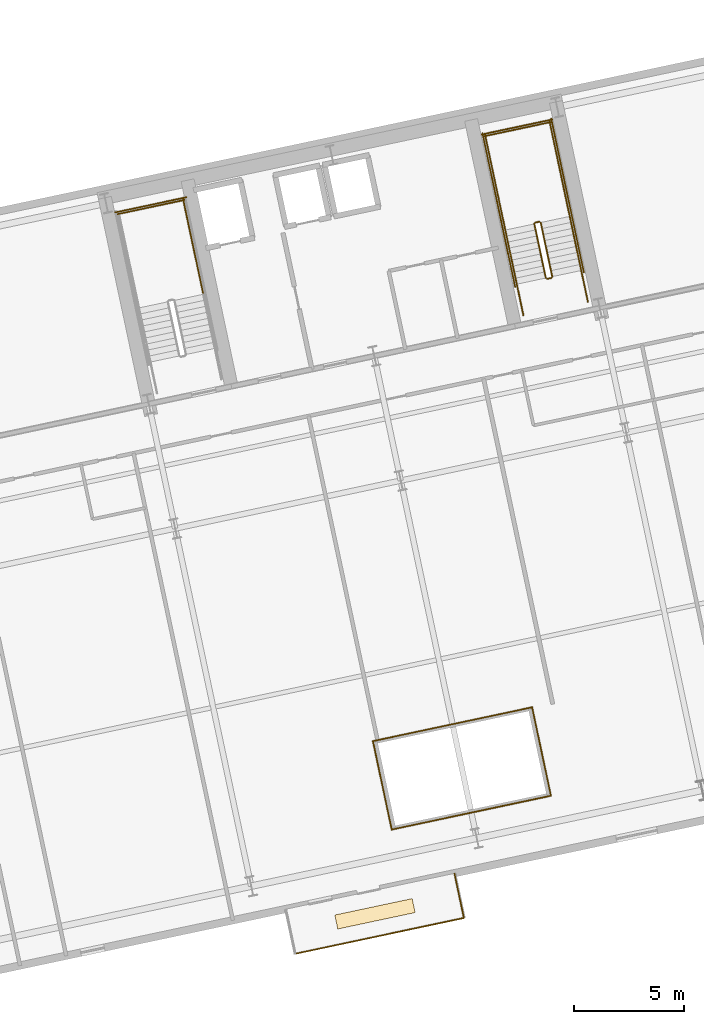
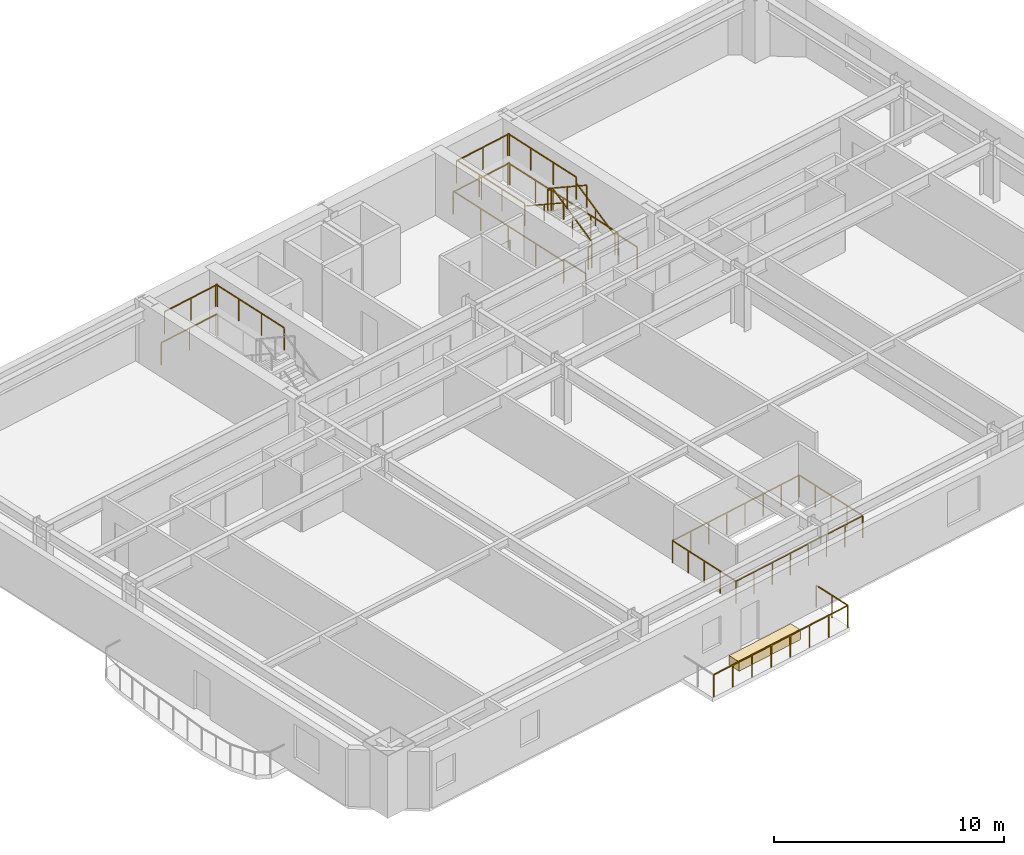
# One storey, part 16 of 17: 23 railings, 1 covering.
"""IFC4 building model written with IfcOpenShell, lengths in metres."""

from ifc_helpers import new_model, si_unit, direction, frame, origin, origin_2d, place, context, subcontext, project, spatial, rectangle, extrude, material, layer, layer_set, type_object, element, save


model = new_model("IFC4")

# Units and contexts
model_context = context("Model", 3, precision=1e-05, world=origin(), true_north=direction((0.0, 1.0)))
body_context = subcontext(model_context, "Body", "Model", "MODEL_VIEW")
ifc_project = project(units=[si_unit("LENGTHUNIT", "METRE"), si_unit("AREAUNIT", "SQUARE_METRE"), si_unit("VOLUMEUNIT", "CUBIC_METRE"), si_unit("PLANEANGLEUNIT", "RADIAN"), si_unit("MASSUNIT", "GRAM", prefix="KILO")], contexts=[model_context])

# Site, building, storey
site_placement = place(None, origin())
site = spatial("IfcSite", under=ifc_project, at=site_placement, CompositionType="ELEMENT")
building_placement = place(site_placement, origin())
building = spatial("IfcBuilding", under=site, at=building_placement, Name="Haevon Station Towers", CompositionType="ELEMENT")
storey_placement = place(building_placement, frame((0.0, 0.0, 33.89990234375)))
storey = spatial("IfcBuildingStorey", under=building, at=storey_placement, Name="L07", CompositionType="ELEMENT", Elevation=33.89990234375)

# Railings
ifc_material_1 = material(Name="Steel S355", Category="steel")
railing_type_1 = type_object("IfcRailingType", Name="BAL-ATR1200", PredefinedType="BALUSTRADE", material=ifc_material_1)
railing_1_placement = place(storey_placement, frame((109.81884765625, 18.0615234375, 0.0)))
element("IfcRailing", 1, at=railing_1_placement, inside=storey, type_object=railing_type_1, Name="L07 Atrium Void Balustrade 1", PredefinedType="BALUSTRADE", context=body_context, shape_type="SweptSolid", body=[
    extrude(rectangle(XDim=0.048095703125, YDim=0.048095703125, at=origin_2d()), frame((0.0, 0.0, 1.17578125), z_axis=(0.978148717371, 0.207906437384, 0.0), x_axis=(-0.207906437384, 0.978148717371, 0.0)), (0.0, 0.0, 1.0), 7.40966796875),
    extrude(rectangle(XDim=0.0419921875, YDim=0.0419921875, at=origin_2d()), origin(), (0.0, 0.0, 1.0), 1.15185546875),
    extrude(rectangle(XDim=0.0419921875, YDim=0.0419921875, at=origin_2d()), frame((1.035400390625, 0.219970703125, 0.0)), (0.0, 0.0, 1.0), 1.15185546875),
    extrude(rectangle(XDim=0.0419921875, YDim=0.0419921875, at=origin_2d()), frame((2.07080078125, 0.440185546875, 0.0)), (0.0, 0.0, 1.0), 1.15185546875),
    extrude(rectangle(XDim=0.0419921875, YDim=0.0419921875, at=origin_2d()), frame((3.106201171875, 0.66015625, 0.0)), (0.0, 0.0, 1.0), 1.15185546875),
    extrude(rectangle(XDim=0.0419921875, YDim=0.0419921875, at=origin_2d()), frame((4.1416015625, 0.88037109375, 0.0)), (0.0, 0.0, 1.0), 1.15185546875),
    extrude(rectangle(XDim=0.0419921875, YDim=0.0419921875, at=origin_2d()), frame((5.177001953125, 1.100341796875, 0.0)), (0.0, 0.0, 1.0), 1.15185546875),
    extrude(rectangle(XDim=0.0419921875, YDim=0.0419921875, at=origin_2d()), frame((6.21240234375, 1.320556640625, 0.0)), (0.0, 0.0, 1.0), 1.15185546875),
    extrude(rectangle(XDim=0.0419921875, YDim=0.0419921875, at=origin_2d()), frame((7.247802734375, 1.54052734375, 0.0)), (0.0, 0.0, 1.0), 1.15185546875),
])
railing_2_placement = place(storey_placement, frame((117.066650390625, 19.60205078125, 0.0)))
element("IfcRailing", 2, at=railing_2_placement, inside=storey, type_object=railing_type_1, Name="L07 Atrium Void Balustrade 2", PredefinedType="BALUSTRADE", context=body_context, shape_type="SweptSolid", body=[
    extrude(rectangle(XDim=0.048095703125, YDim=0.048095703125, at=origin_2d()), frame((0.0, 0.0, 1.17578125), z_axis=(-0.207928976297, 0.978143926432, 0.0), x_axis=(-0.978143926432, -0.207928976297, 0.0)), (0.0, 0.0, 1.0), 4.11669921875),
    extrude(rectangle(XDim=0.0419921875, YDim=0.0419921875, at=origin_2d()), origin(), (0.0, 0.0, 1.0), 1.15185546875),
    extrude(rectangle(XDim=0.0419921875, YDim=0.0419921875, at=origin_2d()), frame((-0.2138671875, 1.006591796875, 0.0)), (0.0, 0.0, 1.0), 1.15185546875),
    extrude(rectangle(XDim=0.0419921875, YDim=0.0419921875, at=origin_2d()), frame((-0.427978515625, 2.01318359375, 0.0)), (0.0, 0.0, 1.0), 1.15185546875),
    extrude(rectangle(XDim=0.0419921875, YDim=0.0419921875, at=origin_2d()), frame((-0.64208984375, 3.02001953125, 0.0)), (0.0, 0.0, 1.0), 1.15185546875),
    extrude(rectangle(XDim=0.0419921875, YDim=0.0419921875, at=origin_2d()), frame((-0.85595703125, 4.026611328125, 0.0)), (0.0, 0.0, 1.0), 1.15185546875),
])
railing_3_placement = place(storey_placement, frame((116.210693359375, 23.628662109375, 0.0)))
element("IfcRailing", 3, at=railing_3_placement, inside=storey, type_object=railing_type_1, Name="L07 Atrium Void Balustrade 3", PredefinedType="BALUSTRADE", context=body_context, shape_type="SweptSolid", body=[
    extrude(rectangle(XDim=0.048095703125, YDim=0.048095703125, at=origin_2d()), frame((0.0, 0.0, 1.17578125), z_axis=(-0.978148717371, -0.207906437384, 0.0), x_axis=(0.207906437384, -0.978148717371, 0.0)), (0.0, 0.0, 1.0), 7.40966796875),
    extrude(rectangle(XDim=0.0419921875, YDim=0.0419921875, at=origin_2d()), origin(), (0.0, 0.0, 1.0), 1.15185546875),
    extrude(rectangle(XDim=0.0419921875, YDim=0.0419921875, at=origin_2d()), frame((-1.035400390625, -0.219970703125, 0.0)), (0.0, 0.0, 1.0), 1.15185546875),
    extrude(rectangle(XDim=0.0419921875, YDim=0.0419921875, at=origin_2d()), frame((-2.07080078125, -0.440185546875, 0.0)), (0.0, 0.0, 1.0), 1.15185546875),
    extrude(rectangle(XDim=0.0419921875, YDim=0.0419921875, at=origin_2d()), frame((-3.106201171875, -0.66015625, 0.0)), (0.0, 0.0, 1.0), 1.15185546875),
    extrude(rectangle(XDim=0.0419921875, YDim=0.0419921875, at=origin_2d()), frame((-4.1416015625, -0.88037109375, 0.0)), (0.0, 0.0, 1.0), 1.15185546875),
    extrude(rectangle(XDim=0.0419921875, YDim=0.0419921875, at=origin_2d()), frame((-5.177001953125, -1.100341796875, 0.0)), (0.0, 0.0, 1.0), 1.15185546875),
    extrude(rectangle(XDim=0.0419921875, YDim=0.0419921875, at=origin_2d()), frame((-6.21240234375, -1.320556640625, 0.0)), (0.0, 0.0, 1.0), 1.15185546875),
    extrude(rectangle(XDim=0.0419921875, YDim=0.0419921875, at=origin_2d()), frame((-7.247802734375, -1.54052734375, 0.0)), (0.0, 0.0, 1.0), 1.15185546875),
])
railing_4_placement = place(storey_placement, frame((108.962890625, 22.088134765625, 0.0)))
element("IfcRailing", 4, at=railing_4_placement, inside=storey, type_object=railing_type_1, Name="L07 Atrium Void Balustrade 4", PredefinedType="BALUSTRADE", context=body_context, shape_type="SweptSolid", body=[
    extrude(rectangle(XDim=0.048095703125, YDim=0.048095703125, at=origin_2d()), frame((0.0, 0.0, 1.17578125), z_axis=(0.207928976297, -0.978143926432, 0.0), x_axis=(0.978143926432, 0.207928976297, 0.0)), (0.0, 0.0, 1.0), 4.11669921875),
    extrude(rectangle(XDim=0.0419921875, YDim=0.0419921875, at=origin_2d()), origin(), (0.0, 0.0, 1.0), 1.15185546875),
    extrude(rectangle(XDim=0.0419921875, YDim=0.0419921875, at=origin_2d()), frame((0.2138671875, -1.006591796875, 0.0)), (0.0, 0.0, 1.0), 1.15185546875),
    extrude(rectangle(XDim=0.0419921875, YDim=0.0419921875, at=origin_2d()), frame((0.427978515625, -2.01318359375, 0.0)), (0.0, 0.0, 1.0), 1.15185546875),
    extrude(rectangle(XDim=0.0419921875, YDim=0.0419921875, at=origin_2d()), frame((0.64208984375, -3.02001953125, 0.0)), (0.0, 0.0, 1.0), 1.15185546875),
    extrude(rectangle(XDim=0.0419921875, YDim=0.0419921875, at=origin_2d()), frame((0.85595703125, -4.026611328125, 0.0)), (0.0, 0.0, 1.0), 1.15185546875),
])
railing_type_2 = type_object("IfcRailingType", Name="GRD-EXT1200", PredefinedType="GUARDRAIL", material=ifc_material_1)
railing_5_placement = place(storey_placement, frame((105.431396484375, 12.404296875, 0.0)))
element("IfcRailing", 5, at=railing_5_placement, inside=storey, type_object=railing_type_2, Name="L07 Perimeter Guardrail 1", PredefinedType="GUARDRAIL", context=body_context, shape_type="SweptSolid", body=[
    extrude(rectangle(XDim=0.048095703125, YDim=0.048095703125, at=origin_2d()), frame((0.0, 0.0, 1.17578125), z_axis=(0.978148093399, 0.207909372996, 0.0), x_axis=(-0.207909372996, 0.978148093399, 0.0)), (0.0, 0.0, 1.0), 7.84521484375),
    extrude(rectangle(XDim=0.0419921875, YDim=0.0419921875, at=origin_2d()), origin(), (0.0, 0.0, 1.0), 1.15185546875),
    extrude(rectangle(XDim=0.0419921875, YDim=0.0419921875, at=origin_2d()), frame((1.09619140625, 0.23291015625, 0.0)), (0.0, 0.0, 1.0), 1.15185546875),
    extrude(rectangle(XDim=0.0419921875, YDim=0.0419921875, at=origin_2d()), frame((2.192626953125, 0.466064453125, 0.0)), (0.0, 0.0, 1.0), 1.15185546875),
    extrude(rectangle(XDim=0.0419921875, YDim=0.0419921875, at=origin_2d()), frame((3.288818359375, 0.698974609375, 0.0)), (0.0, 0.0, 1.0), 1.15185546875),
    extrude(rectangle(XDim=0.0419921875, YDim=0.0419921875, at=origin_2d()), frame((4.385009765625, 0.93212890625, 0.0)), (0.0, 0.0, 1.0), 1.15185546875),
    extrude(rectangle(XDim=0.0419921875, YDim=0.0419921875, at=origin_2d()), frame((5.481201171875, 1.1650390625, 0.0)), (0.0, 0.0, 1.0), 1.15185546875),
    extrude(rectangle(XDim=0.0419921875, YDim=0.0419921875, at=origin_2d()), frame((6.57763671875, 1.398193359375, 0.0)), (0.0, 0.0, 1.0), 1.15185546875),
    extrude(rectangle(XDim=0.0419921875, YDim=0.0419921875, at=origin_2d()), frame((7.673828125, 1.631103515625, 0.0)), (0.0, 0.0, 1.0), 1.15185546875),
])
railing_6_placement = place(storey_placement, frame((113.105224609375, 14.035400390625, 0.0)))
element("IfcRailing", 6, at=railing_6_placement, inside=storey, type_object=railing_type_2, Name="L07 Perimeter Guardrail 2", PredefinedType="GUARDRAIL", context=body_context, shape_type="SweptSolid", body=[
    extrude(rectangle(XDim=0.048095703125, YDim=0.048095703125, at=origin_2d()), frame((0.0, 0.0, 1.17578125), z_axis=(-0.207962507169, 0.978136798005, 0.0), x_axis=(-0.978136798005, -0.207962507169, 0.0)), (0.0, 0.0, 1.0), 2.054443359375),
    extrude(rectangle(XDim=0.0419921875, YDim=0.0419921875, at=origin_2d()), origin(), (0.0, 0.0, 1.0), 1.15185546875),
    extrude(rectangle(XDim=0.0419921875, YDim=0.0419921875, at=origin_2d()), frame((-0.213623046875, 1.0048828125, 0.0)), (0.0, 0.0, 1.0), 1.15185546875),
    extrude(rectangle(XDim=0.0419921875, YDim=0.0419921875, at=origin_2d()), frame((-0.42724609375, 2.009521484375, 0.0)), (0.0, 0.0, 1.0), 1.15185546875),
])
railing_type_3 = type_object("IfcRailingType", Name="GRD-STR1200", PredefinedType="GUARDRAIL", material=ifc_material_1)
railing_7_placement = place(storey_placement, frame((101.238037109375, 42.4384765625, 1.650146484375)))
element("IfcRailing", 7, at=railing_7_placement, inside=storey, type_object=railing_type_3, Name="L07 ST3 Stair Guard 3", PredefinedType="GUARDRAIL", context=body_context, shape_type="SweptSolid", body=[
    extrude(rectangle(XDim=0.048095703125, YDim=0.048095703125, at=origin_2d()), frame((0.0, 0.0, 1.17578125), z_axis=(-0.20794048909, 0.978141479029, 0.0), x_axis=(-0.978141479029, -0.20794048909, 0.0)), (0.0, 0.0, 1.0), 4.429931640625),
    extrude(rectangle(XDim=0.0419921875, YDim=0.0419921875, at=origin_2d()), origin(), (0.0, 0.0, 1.0), 1.15185546875),
    extrude(rectangle(XDim=0.0419921875, YDim=0.0419921875, at=origin_2d()), frame((-0.30712890625, 1.4443359375, 0.0)), (0.0, 0.0, 1.0), 1.15185546875),
    extrude(rectangle(XDim=0.0419921875, YDim=0.0419921875, at=origin_2d()), frame((-0.614013671875, 2.888671875, 0.0)), (0.0, 0.0, 1.0), 1.15185546875),
    extrude(rectangle(XDim=0.0419921875, YDim=0.0419921875, at=origin_2d()), frame((-0.921142578125, 4.3330078125, 0.0)), (0.0, 0.0, 1.0), 1.15185546875),
])
railing_8_placement = place(storey_placement, frame((100.376220703125, 46.733154296875, 1.650146484375)))
element("IfcRailing", 8, at=railing_8_placement, inside=storey, type_object=railing_type_3, Name="L07 ST3 Stair Guard 5", PredefinedType="GUARDRAIL", context=body_context, shape_type="SweptSolid", body=[
    extrude(rectangle(XDim=0.048095703125, YDim=0.048095703125, at=origin_2d()), frame((0.0, 0.0, 1.17578125), z_axis=(-0.978146839882, -0.207915270313, 0.0), x_axis=(0.207915270313, -0.978146839882, 0.0)), (0.0, 0.0, 1.0), 3.099853515625),
    extrude(rectangle(XDim=0.0419921875, YDim=0.0419921875, at=origin_2d()), origin(), (0.0, 0.0, 1.0), 1.15185546875),
    extrude(rectangle(XDim=0.0419921875, YDim=0.0419921875, at=origin_2d()), frame((-1.51611328125, -0.322265625, 0.0)), (0.0, 0.0, 1.0), 1.15185546875),
    extrude(rectangle(XDim=0.0419921875, YDim=0.0419921875, at=origin_2d()), frame((-3.0322265625, -0.64453125, 0.0)), (0.0, 0.0, 1.0), 1.15185546875),
])
railing_9_placement = place(storey_placement, frame((100.453125, 46.8515625, 0.0)))
element("IfcRailing", 9, at=railing_9_placement, inside=storey, type_object=railing_type_3, Name="L07 ST3 Stair Guard 12", PredefinedType="GUARDRAIL", context=body_context, shape_type="SweptSolid", body=[
    extrude(rectangle(XDim=0.048095703125, YDim=0.048095703125, at=origin_2d()), frame((0.0, 0.0, 1.17578125), z_axis=(-0.978150764849, -0.207896804268, 0.0), x_axis=(0.207896804268, -0.978150764849, 0.0)), (0.0, 0.0, 1.0), 3.2998046875),
    extrude(rectangle(XDim=0.0419921875, YDim=0.0419921875, at=origin_2d()), origin(), (0.0, 0.0, 1.0), 1.15185546875),
    extrude(rectangle(XDim=0.0419921875, YDim=0.0419921875, at=origin_2d()), frame((-1.61376953125, -0.343017578125, 0.0)), (0.0, 0.0, 1.0), 1.15185546875),
    extrude(rectangle(XDim=0.0419921875, YDim=0.0419921875, at=origin_2d()), frame((-3.227783203125, -0.68603515625, 0.0)), (0.0, 0.0, 1.0), 1.15185546875),
])
railing_10_placement = place(storey_placement, frame((117.128662109375, 43.23974609375, 0.1650390625)))
element("IfcRailing", 10, at=railing_10_placement, inside=storey, type_object=railing_type_3, Name="L07 ST4 Stair Guard 1", PredefinedType="GUARDRAIL", context=body_context, shape_type="SweptSolid", body=[
    extrude(rectangle(XDim=0.048095703125, YDim=0.048095703125, at=origin_2d()), frame((0.0, 0.0, 1.17578125), z_axis=(-0.179121265225, 0.842687928106, 0.507732831485), x_axis=(-0.978147030254, -0.207914374695, 0.0)), (0.0, 0.0, 1.0), 2.925048828125),
    extrude(rectangle(XDim=0.0419921875, YDim=0.0419921875, at=origin_2d()), origin(), (0.0, 0.0, 1.0), 1.15185546875),
    extrude(rectangle(XDim=0.0419921875, YDim=0.0419921875, at=origin_2d()), frame((-0.261962890625, 1.232421875, 0.74267578125)), (0.0, 0.0, 1.0), 1.15185546875),
    extrude(rectangle(XDim=0.0419921875, YDim=0.0419921875, at=origin_2d()), frame((-0.52392578125, 2.46484375, 1.485107421875)), (0.0, 0.0, 1.0), 1.15185546875),
])
railing_11_placement = place(storey_placement, frame((116.54541015625, 45.7431640625, 1.650146484375)))
element("IfcRailing", 11, at=railing_11_placement, inside=storey, type_object=railing_type_3, Name="L07 ST4 Stair Guard 2", PredefinedType="GUARDRAIL", context=body_context, shape_type="SweptSolid", body=[
    extrude(rectangle(XDim=0.048095703125, YDim=0.048095703125, at=origin_2d()), frame((0.0, 0.0, 1.17578125), z_axis=(-0.97826412705, -0.207362720198, 0.0), x_axis=(0.207362720198, -0.97826412705, 0.0)), (0.0, 0.0, 1.0), 0.2001953125),
    extrude(rectangle(XDim=0.0419921875, YDim=0.0419921875, at=origin_2d()), origin(), (0.0, 0.0, 1.0), 1.15185546875),
    extrude(rectangle(XDim=0.0419921875, YDim=0.0419921875, at=origin_2d()), frame((-0.19580078125, -0.04150390625, 0.0)), (0.0, 0.0, 1.0), 1.15185546875),
])
railing_12_placement = place(storey_placement, frame((117.925048828125, 45.9853515625, 1.650146484375)))
element("IfcRailing", 12, at=railing_12_placement, inside=storey, type_object=railing_type_3, Name="L07 ST4 Stair Guard 3", PredefinedType="GUARDRAIL", context=body_context, shape_type="SweptSolid", body=[
    extrude(rectangle(XDim=0.048095703125, YDim=0.048095703125, at=origin_2d()), frame((0.0, 0.0, 1.17578125), z_axis=(-0.207876551949, 0.978155069071, 0.0), x_axis=(-0.978155069071, -0.207876551949, 0.0)), (0.0, 0.0, 1.0), 4.429931640625),
    extrude(rectangle(XDim=0.0419921875, YDim=0.0419921875, at=origin_2d()), origin(), (0.0, 0.0, 1.0), 1.15185546875),
    extrude(rectangle(XDim=0.0419921875, YDim=0.0419921875, at=origin_2d()), frame((-0.306884765625, 1.4443359375, 0.0)), (0.0, 0.0, 1.0), 1.15185546875),
    extrude(rectangle(XDim=0.0419921875, YDim=0.0419921875, at=origin_2d()), frame((-0.614013671875, 2.888916015625, 0.0)), (0.0, 0.0, 1.0), 1.15185546875),
    extrude(rectangle(XDim=0.0419921875, YDim=0.0419921875, at=origin_2d()), frame((-0.9208984375, 4.333251953125, 0.0)), (0.0, 0.0, 1.0), 1.15185546875),
])
railing_13_placement = place(storey_placement, frame((114.99072265625, 45.361572265625, 1.650146484375)))
element("IfcRailing", 13, at=railing_13_placement, inside=storey, type_object=railing_type_3, Name="L07 ST4 Stair Guard 4", PredefinedType="GUARDRAIL", context=body_context, shape_type="SweptSolid", body=[
    extrude(rectangle(XDim=0.048095703125, YDim=0.048095703125, at=origin_2d()), frame((0.0, 0.0, 1.17578125), z_axis=(-0.207929280007, 0.978143861871, 0.0), x_axis=(-0.978143861871, -0.207929280007, 0.0)), (0.0, 0.0, 1.0), 4.43017578125),
    extrude(rectangle(XDim=0.0419921875, YDim=0.0419921875, at=origin_2d()), origin(), (0.0, 0.0, 1.0), 1.15185546875),
    extrude(rectangle(XDim=0.0419921875, YDim=0.0419921875, at=origin_2d()), frame((-0.30712890625, 1.4443359375, 0.0)), (0.0, 0.0, 1.0), 1.15185546875),
    extrude(rectangle(XDim=0.0419921875, YDim=0.0419921875, at=origin_2d()), frame((-0.614013671875, 2.888916015625, 0.0)), (0.0, 0.0, 1.0), 1.15185546875),
    extrude(rectangle(XDim=0.0419921875, YDim=0.0419921875, at=origin_2d()), frame((-0.921142578125, 4.333251953125, 0.0)), (0.0, 0.0, 1.0), 1.15185546875),
])
railing_14_placement = place(storey_placement, frame((117.0634765625, 50.280029296875, 1.650146484375)))
element("IfcRailing", 14, at=railing_14_placement, inside=storey, type_object=railing_type_3, Name="L07 ST4 Stair Guard 5", PredefinedType="GUARDRAIL", context=body_context, shape_type="SweptSolid", body=[
    extrude(rectangle(XDim=0.048095703125, YDim=0.048095703125, at=origin_2d()), frame((0.0, 0.0, 1.17578125), z_axis=(-0.978146839882, -0.207915270313, 0.0), x_axis=(0.207915270313, -0.978146839882, 0.0)), (0.0, 0.0, 1.0), 3.099853515625),
    extrude(rectangle(XDim=0.0419921875, YDim=0.0419921875, at=origin_2d()), origin(), (0.0, 0.0, 1.0), 1.15185546875),
    extrude(rectangle(XDim=0.0419921875, YDim=0.0419921875, at=origin_2d()), frame((-1.51611328125, -0.322265625, 0.0)), (0.0, 0.0, 1.0), 1.15185546875),
    extrude(rectangle(XDim=0.0419921875, YDim=0.0419921875, at=origin_2d()), frame((-3.0322265625, -0.64453125, 0.0)), (0.0, 0.0, 1.0), 1.15185546875),
])
railing_15_placement = place(storey_placement, frame((116.311279296875, 45.642333984375, 1.815185546875)))
element("IfcRailing", 15, at=railing_15_placement, inside=storey, type_object=railing_type_3, Name="L07 ST4 Stair Guard 6", PredefinedType="GUARDRAIL", context=body_context, shape_type="SweptSolid", body=[
    extrude(rectangle(XDim=0.048095703125, YDim=0.048095703125, at=origin_2d()), frame((0.0, 0.0, 1.17578125), z_axis=(0.179116256339, -0.842747828638, 0.507635168246), x_axis=(0.978151217824, 0.207894673017, 0.0)), (0.0, 0.0, 1.0), 2.925048828125),
    extrude(rectangle(XDim=0.0419921875, YDim=0.0419921875, at=origin_2d()), origin(), (0.0, 0.0, 1.0), 1.15185546875),
    extrude(rectangle(XDim=0.0419921875, YDim=0.0419921875, at=origin_2d()), frame((0.261962890625, -1.232421875, 0.742431640625)), (0.0, 0.0, 1.0), 1.15185546875),
    extrude(rectangle(XDim=0.0419921875, YDim=0.0419921875, at=origin_2d()), frame((0.52392578125, -2.465087890625, 1.48486328125)), (0.0, 0.0, 1.0), 1.15185546875),
])
railing_16_placement = place(storey_placement, frame((117.090087890625, 43.180419921875, 0.0)))
element("IfcRailing", 16, at=railing_16_placement, inside=storey, type_object=railing_type_3, Name="L07 ST4 Stair Guard 7", PredefinedType="GUARDRAIL", context=body_context, shape_type="SweptSolid", body=[
    extrude(rectangle(XDim=0.048095703125, YDim=0.048095703125, at=origin_2d()), frame((0.0, 0.0, 1.17578125), z_axis=(-0.978211583308, -0.207610448392, 0.0), x_axis=(0.207610448392, -0.978211583308, 0.0)), (0.0, 0.0, 1.0), 0.199951171875),
    extrude(rectangle(XDim=0.0419921875, YDim=0.0419921875, at=origin_2d()), origin(), (0.0, 0.0, 1.0), 1.15185546875),
    extrude(rectangle(XDim=0.0419921875, YDim=0.0419921875, at=origin_2d()), frame((-0.195556640625, -0.04150390625, 0.0)), (0.0, 0.0, 1.0), 1.15185546875),
])
for number, where, name in (
    (17, (118.75048828125, 42.10205078125, 0.0), "L07 ST4 Stair Guard 8"),
    (18, (115.816162109375, 41.478271484375, 0.0), "L07 ST4 Stair Guard 9"),
):
    element("IfcRailing", number, at=place(storey_placement, frame(where)), inside=storey, type_object=railing_type_3, Name=name, PredefinedType="GUARDRAIL", context=body_context, shape_type="SweptSolid", body=[
        extrude(rectangle(XDim=0.048095703125, YDim=0.048095703125, at=origin_2d()), frame((0.0, 0.0, 1.17578125), z_axis=(-0.207919161079, 0.978146012851, 0.0), x_axis=(-0.978146012851, -0.207919161079, 0.0)), (0.0, 0.0, 1.0), 1.4501953125),
        extrude(rectangle(XDim=0.0419921875, YDim=0.0419921875, at=origin_2d()), origin(), (0.0, 0.0, 1.0), 1.15185546875),
        extrude(rectangle(XDim=0.0419921875, YDim=0.0419921875, at=origin_2d()), frame((-0.301513671875, 1.41845703125, 0.0)), (0.0, 0.0, 1.0), 1.15185546875),
    ])
railing_17_placement = place(storey_placement, frame((118.567626953125, 43.443359375, 0.0)))
element("IfcRailing", 19, at=railing_17_placement, inside=storey, type_object=railing_type_3, Name="L07 ST4 Stair Guard 10", PredefinedType="GUARDRAIL", context=body_context, shape_type="SweptSolid", body=[
    extrude(rectangle(XDim=0.048095703125, YDim=0.048095703125, at=origin_2d()), frame((0.0, 0.0, 1.17578125), z_axis=(-0.207908168386, 0.978148349443, 0.0), x_axis=(-0.978148349443, -0.207908168386, 0.0)), (0.0, 0.0, 1.0), 7.150146484375),
    extrude(rectangle(XDim=0.0419921875, YDim=0.0419921875, at=origin_2d()), origin(), (0.0, 0.0, 1.0), 1.15185546875),
    extrude(rectangle(XDim=0.0419921875, YDim=0.0419921875, at=origin_2d()), frame((-0.37158203125, 1.74853515625, 0.0)), (0.0, 0.0, 1.0), 1.15185546875),
    extrude(rectangle(XDim=0.0419921875, YDim=0.0419921875, at=origin_2d()), frame((-0.7431640625, 3.4970703125, 0.0)), (0.0, 0.0, 1.0), 1.15185546875),
    extrude(rectangle(XDim=0.0419921875, YDim=0.0419921875, at=origin_2d()), frame((-1.114990234375, 5.245361328125, 0.0)), (0.0, 0.0, 1.0), 1.15185546875),
    extrude(rectangle(XDim=0.0419921875, YDim=0.0419921875, at=origin_2d()), frame((-1.486572265625, 6.993896484375, 0.0)), (0.0, 0.0, 1.0), 1.15185546875),
])
railing_18_placement = place(storey_placement, frame((115.4375, 42.778076171875, 0.0)))
element("IfcRailing", 20, at=railing_18_placement, inside=storey, type_object=railing_type_3, Name="L07 ST4 Stair Guard 11", PredefinedType="GUARDRAIL", context=body_context, shape_type="SweptSolid", body=[
    extrude(rectangle(XDim=0.048095703125, YDim=0.048095703125, at=origin_2d()), frame((0.0, 0.0, 1.17578125), z_axis=(-0.207882442208, 0.978153817261, 0.0), x_axis=(-0.978153817261, -0.207882442208, 0.0)), (0.0, 0.0, 1.0), 7.14990234375),
    extrude(rectangle(XDim=0.0419921875, YDim=0.0419921875, at=origin_2d()), origin(), (0.0, 0.0, 1.0), 1.15185546875),
    extrude(rectangle(XDim=0.0419921875, YDim=0.0419921875, at=origin_2d()), frame((-0.37158203125, 1.74853515625, 0.0)), (0.0, 0.0, 1.0), 1.15185546875),
    extrude(rectangle(XDim=0.0419921875, YDim=0.0419921875, at=origin_2d()), frame((-0.7431640625, 3.496826171875, 0.0)), (0.0, 0.0, 1.0), 1.15185546875),
    extrude(rectangle(XDim=0.0419921875, YDim=0.0419921875, at=origin_2d()), frame((-1.11474609375, 5.2451171875, 0.0)), (0.0, 0.0, 1.0), 1.15185546875),
    extrude(rectangle(XDim=0.0419921875, YDim=0.0419921875, at=origin_2d()), frame((-1.486328125, 6.99365234375, 0.0)), (0.0, 0.0, 1.0), 1.15185546875),
])
railing_19_placement = place(storey_placement, frame((117.140380859375, 50.398681640625, 0.0)))
element("IfcRailing", 21, at=railing_19_placement, inside=storey, type_object=railing_type_3, Name="L07 ST4 Stair Guard 12", PredefinedType="GUARDRAIL", context=body_context, shape_type="SweptSolid", body=[
    extrude(rectangle(XDim=0.048095703125, YDim=0.048095703125, at=origin_2d()), frame((0.0, 0.0, 1.17578125), z_axis=(-0.978135717418, -0.207967589567, 0.0), x_axis=(0.207967589567, -0.978135717418, 0.0)), (0.0, 0.0, 1.0), 3.300048828125),
    extrude(rectangle(XDim=0.0419921875, YDim=0.0419921875, at=origin_2d()), origin(), (0.0, 0.0, 1.0), 1.15185546875),
    extrude(rectangle(XDim=0.0419921875, YDim=0.0419921875, at=origin_2d()), frame((-1.61376953125, -0.34326171875, 0.0)), (0.0, 0.0, 1.0), 1.15185546875),
    extrude(rectangle(XDim=0.0419921875, YDim=0.0419921875, at=origin_2d()), frame((-3.227783203125, -0.686279296875, 0.0)), (0.0, 0.0, 1.0), 1.15185546875),
])
railing_type_4 = type_object("IfcRailingType", Name="HND-STR900", PredefinedType="HANDRAIL", material=ifc_material_1)
railing_20_placement = place(storey_placement, frame((118.448974609375, 43.5205078125, 0.1650390625)))
element("IfcRailing", 22, at=railing_20_placement, inside=storey, type_object=railing_type_4, Name="L07 ST4 Stair Handrail 1", PredefinedType="HANDRAIL", context=body_context, shape_type="SweptSolid", body=[
    extrude(rectangle(XDim=0.048095703125, YDim=0.048095703125, at=origin_2d()), frame((0.0, 0.0, 0.8759765625), z_axis=(-0.179121265225, 0.842687928106, 0.507732831485), x_axis=(-0.978147030254, -0.207914374695, 0.0)), (0.0, 0.0, 1.0), 2.925048828125),
    extrude(rectangle(XDim=0.0419921875, YDim=0.0419921875, at=origin_2d()), origin(), (0.0, 0.0, 1.0), 0.851806640625),
    extrude(rectangle(XDim=0.0419921875, YDim=0.0419921875, at=origin_2d()), frame((-0.261962890625, 1.232421875, 0.74267578125)), (0.0, 0.0, 1.0), 0.851806640625),
    extrude(rectangle(XDim=0.0419921875, YDim=0.0419921875, at=origin_2d()), frame((-0.52392578125, 2.46484375, 1.485107421875)), (0.0, 0.0, 1.0), 0.851806640625),
])
railing_21_placement = place(storey_placement, frame((114.99072265625, 45.361572265625, 1.815185546875)))
element("IfcRailing", 23, at=railing_21_placement, inside=storey, type_object=railing_type_4, Name="L07 ST4 Stair Handrail 2", PredefinedType="HANDRAIL", context=body_context, shape_type="SweptSolid", body=[
    extrude(rectangle(XDim=0.048095703125, YDim=0.048095703125, at=origin_2d()), frame((0.0, 0.0, 0.8759765625), z_axis=(0.179128856099, -0.842723639875, 0.507670877349), x_axis=(0.978147030254, 0.207914374695, 0.0)), (0.0, 0.0, 1.0), 2.9248046875),
    extrude(rectangle(XDim=0.0419921875, YDim=0.0419921875, at=origin_2d()), origin(), (0.0, 0.0, 1.0), 0.851806640625),
    extrude(rectangle(XDim=0.0419921875, YDim=0.0419921875, at=origin_2d()), frame((0.261962890625, -1.232421875, 0.742431640625)), (0.0, 0.0, 1.0), 0.851806640625),
    extrude(rectangle(XDim=0.0419921875, YDim=0.0419921875, at=origin_2d()), frame((0.52392578125, -2.46484375, 1.48486328125)), (0.0, 0.0, 1.0), 0.851806640625),
])

# Covering
ifc_material_2 = material(Name="Architectural planter GRC", Category="concrete")
ifc_layer = layer(ifc_material_2, 0.550048828125)
ifc_layer_set = layer_set([ifc_layer], Name="Architectural planter GRC")
covering_type = type_object("IfcCoveringType", Name="PLN-GRC550", PredefinedType="MOLDING", material=ifc_layer_set)
covering_placement = place(storey_placement, frame((109.0546875, 14.224609375, 0.0), z_axis=(0.0, 0.0, 1.0), x_axis=(0.978147600734, 0.207911690818, 0.0)))
element("IfcCovering", 24, at=covering_placement, inside=storey, type_object=covering_type, Name="Tower 2 L07 Facade Trough PLANTER", PredefinedType="MOLDING", context=body_context, shape_type="SweptSolid", body=[
    extrude(rectangle(XDim=3.60009765625, YDim=0.64990234375, at=origin_2d()), origin(), (0.0, 0.0, 1.0), 0.5),
])

save(model, "model.ifc")
